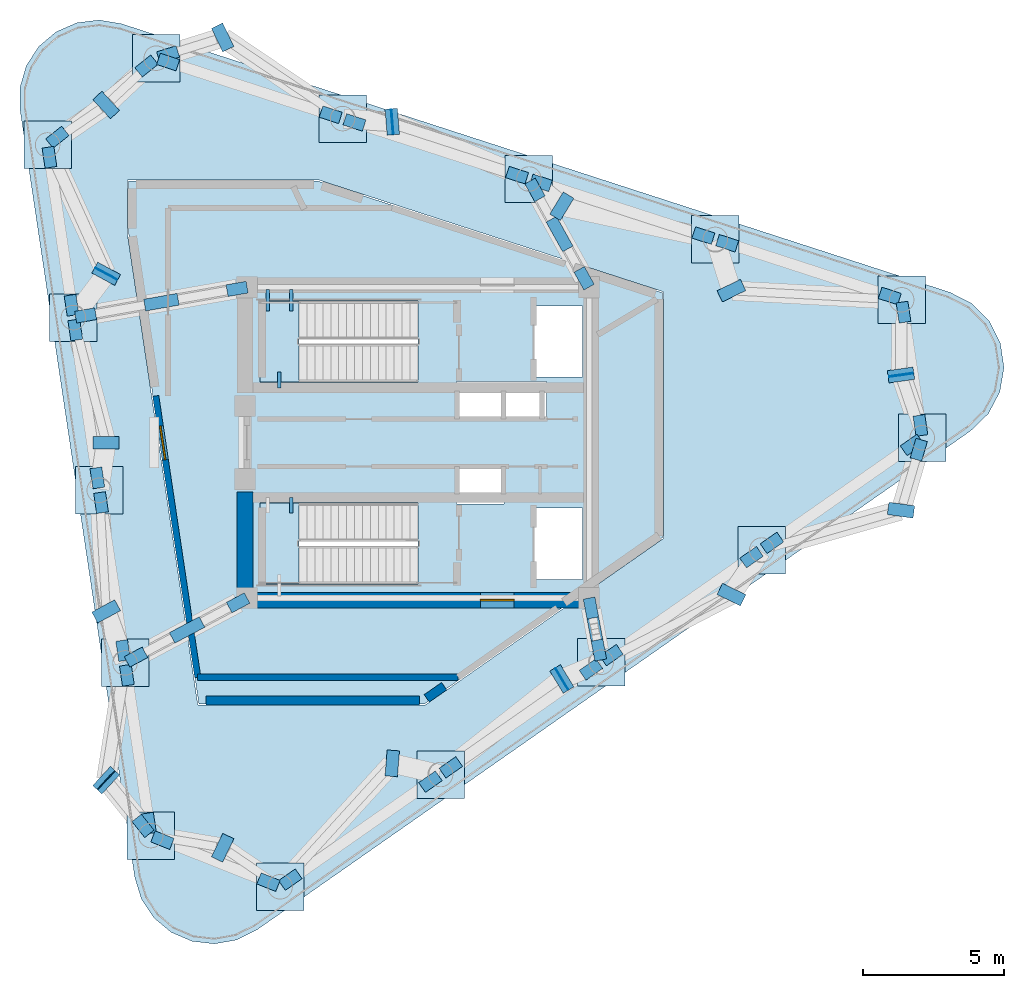
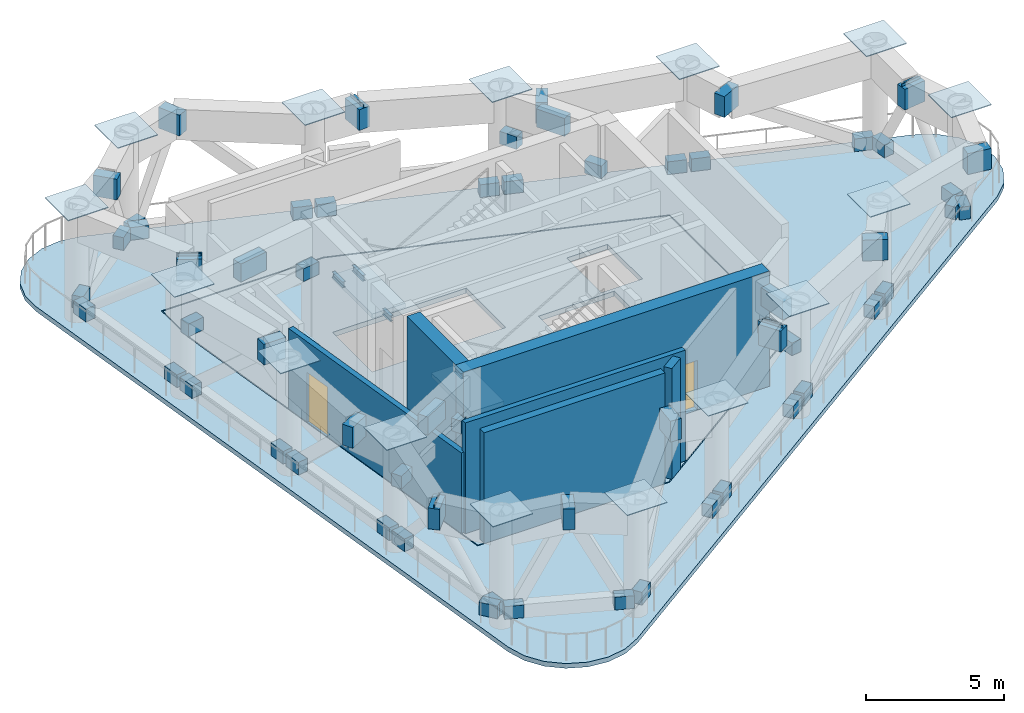
# One storey, part 3 of 9: 80 plates, 6 walls, 4 beams, 4 slabs, 2 doors, 2 openings, 2 elements without a shape of their own.
"""IFC4 building model written with IfcOpenShell, lengths in metres."""

import ifcopenshell
import ifcopenshell.guid

model = None  # the IFC model being written
_history = None  # IfcOwnerHistory: only IFC2X3 demands one
_inside = {}  # id of a spatial element -> (the spatial element, [elements in it])
_under = {}  # id of a project, library or spatial element -> (it, [spatial elements below it])
_declared = {}  # id of a project -> (the project, [libraries it declares])
_typed = {}  # id of a type object -> (the type object, [elements of that type])
_made_of = {}  # id of a material, layer set ... -> (it, [elements and type objects made of it])


def new_model(schema):
    """Start an empty IFC model of exactly this schema.

    Asked for "IFC4X3", IfcOpenShell would pick the latest addendum, in which some entities
    have other attributes; the version numbers below select the first issue.
    IFC2X3 requires an IfcOwnerHistory on every rooted entity: one is made here for all.
    """
    global model, _history
    if schema == "IFC4X3":
        model = ifcopenshell.file(schema_version=(4, 3, 0, 0))
    else:
        model = ifcopenshell.file(schema=schema)
    _inside.clear()
    _under.clear()
    _declared.clear()
    _typed.clear()
    _made_of.clear()
    _history = None
    if model.schema == "IFC2X3":
        org = make("IfcOrganization", Name="unknown")
        user = make(
            "IfcPersonAndOrganization",
            ThePerson=make("IfcPerson", FamilyName="unknown"),
            TheOrganization=org,
        )
        app = make(
            "IfcApplication",
            ApplicationDeveloper=org,
            Version="unknown",
            ApplicationFullName="unknown",
            ApplicationIdentifier="unknown",
        )
        _history = make(
            "IfcOwnerHistory",
            OwningUser=user,
            OwningApplication=app,
            ChangeAction="ADDED",
            CreationDate=0,
        )
    return model


def make(cls, **values):
    """One entity of the class cls with the attributes given. An attribute that is None is left unset."""
    return model.create_entity(
        cls, **{name: value for name, value in values.items() if value is not None}
    )


def rooted(cls, **values):
    """An entity with a GlobalId (a new one), such as an element, a storey or a relation."""
    return make(cls, GlobalId=ifcopenshell.guid.new(), OwnerHistory=_history, **values)


def si_unit(unit_type, name, prefix=None):
    """IfcSIUnit, for example si_unit("LENGTHUNIT", "METRE", prefix="MILLI")."""
    return make("IfcSIUnit", UnitType=unit_type, Prefix=prefix, Name=name)


def assignment(units):
    """IfcUnitAssignment: the units of a project."""
    return None if units is None else make("IfcUnitAssignment", Units=units)


def point(xyz):
    """IfcCartesianPoint."""
    return None if xyz is None else make("IfcCartesianPoint", Coordinates=xyz)


def direction(xyz):
    """IfcDirection."""
    return None if xyz is None else make("IfcDirection", DirectionRatios=xyz)


def frame(location, z_axis=None, x_axis=None):
    """IfcAxis2Placement3D, a coordinate frame: its origin and axes. An axis left out is left unset."""
    return make(
        "IfcAxis2Placement3D",
        Location=point(location),
        Axis=direction(z_axis),
        RefDirection=direction(x_axis),
    )


def frame_2d(location, x_axis=None):
    """IfcAxis2Placement2D, a coordinate frame in the plane: its origin and x axis."""
    return make(
        "IfcAxis2Placement2D", Location=point(location), RefDirection=direction(x_axis)
    )


def origin():
    """The frame at (0, 0, 0) with its axes left unset."""
    return frame((0.0, 0.0, 0.0))


def origin_2d():
    """The frame at (0, 0) in the plane with its x axis left unset."""
    return frame_2d((0.0, 0.0))


def place(relative_to, where):
    """IfcLocalPlacement: puts the frame where relative to a parent placement (None: the world)."""
    return make(
        "IfcLocalPlacement", PlacementRelTo=relative_to, RelativePlacement=where
    )


def context(
    kind, dimensions, precision=None, world=None, true_north=None, identifier=None
):
    """IfcGeometricRepresentationContext, for example the 3D "Model" context."""
    return make(
        "IfcGeometricRepresentationContext",
        ContextIdentifier=identifier,
        ContextType=kind,
        CoordinateSpaceDimension=dimensions,
        Precision=precision,
        WorldCoordinateSystem=world,
        TrueNorth=true_north,
    )


def subcontext(parent, identifier, kind, view, scale=None):
    """IfcGeometricRepresentationSubContext, for example "Body" below "Model"."""
    return make(
        "IfcGeometricRepresentationSubContext",
        ContextIdentifier=identifier,
        ContextType=kind,
        ParentContext=parent,
        TargetScale=scale,
        TargetView=view,
    )


def project(units=None, contexts=None):
    """IfcProject with its units and contexts."""
    return rooted(
        "IfcProject",
        Name="project",
        RepresentationContexts=contexts,
        UnitsInContext=assignment(units),
    )


def spatial(cls, under=None, at=None, **own):
    """A site, building, storey or space (cls), placed at a placement, below another one or the project."""
    s = rooted(cls, ObjectPlacement=at, **own)
    if under is not None:
        _under.setdefault(under.id(), (under, []))[1].append(s)
    return s


def polyline(points):
    """IfcPolyline through the points."""
    return make("IfcPolyline", Points=[point(p) for p in points])


def profile(cls, at=None, kind="AREA", **sizes):
    """A parametric profile (cls). Its sizes go by their IFC names, for example OverallWidth=200.0."""
    return make(cls, ProfileType=kind, Position=at, **sizes)


def rectangle(**sizes):
    """IfcRectangleProfileDef."""
    return profile("IfcRectangleProfileDef", **sizes)


def i_section(**sizes):
    """IfcIShapeProfileDef."""
    return profile("IfcIShapeProfileDef", **sizes)


def outline(outer, holes=None, kind="AREA"):
    """IfcArbitraryClosedProfileDef: a profile drawn as a closed curve; with holes, ...WithVoids."""
    if holes is None:
        return make("IfcArbitraryClosedProfileDef", ProfileType=kind, OuterCurve=outer)
    return make(
        "IfcArbitraryProfileDefWithVoids",
        ProfileType=kind,
        OuterCurve=outer,
        InnerCurves=holes,
    )


def extrude(swept, where, along, depth):
    """IfcExtrudedAreaSolid: the profile swept, set in the frame where, extruded along a direction by depth."""
    return make(
        "IfcExtrudedAreaSolid",
        SweptArea=swept,
        Position=where,
        ExtrudedDirection=direction(along),
        Depth=depth,
    )


def shape(context_of_items, identifier, shape_type, items):
    """IfcShapeRepresentation: the items that make up one representation, for example the "Body"."""
    return make(
        "IfcShapeRepresentation",
        ContextOfItems=context_of_items,
        RepresentationIdentifier=identifier,
        RepresentationType=shape_type,
        Items=items,
    )


def source(mapping_origin, context_of_items, identifier, shape_type, items):
    """IfcRepresentationMap: a shape defined once, which mapped items show again and again."""
    return make(
        "IfcRepresentationMap",
        MappingOrigin=mapping_origin,
        MappedRepresentation=shape(context_of_items, identifier, shape_type, items),
    )


def transform(
    local_origin,
    x_axis=None,
    y_axis=None,
    z_axis=None,
    scale=None,
    scale2=None,
    scale3=None,
    uniform=True,
):
    """IfcCartesianTransformationOperator3D, or its non-uniform kind. x_axis, y_axis, z_axis: its Axis1, 2, 3."""
    if uniform:
        return make(
            "IfcCartesianTransformationOperator3D",
            Axis1=direction(x_axis),
            Axis2=direction(y_axis),
            LocalOrigin=point(local_origin),
            Scale=scale,
            Axis3=direction(z_axis),
        )
    return make(
        "IfcCartesianTransformationOperator3DnonUniform",
        Axis1=direction(x_axis),
        Axis2=direction(y_axis),
        LocalOrigin=point(local_origin),
        Scale=scale,
        Axis3=direction(z_axis),
        Scale2=scale2,
        Scale3=scale3,
    )


def mapped(mapping_source, mapping_target):
    """IfcMappedItem: shows the shape of a source again, moved by a transform."""
    return make(
        "IfcMappedItem", MappingSource=mapping_source, MappingTarget=mapping_target
    )


def material(Name=None, Category=None):
    """IfcMaterial."""
    return make("IfcMaterial", Name=Name, Category=Category)


def layer(
    of_material, thickness, ventilated=None, Name=None, Category=None, Priority=None
):
    """IfcMaterialLayer: one layer of a wall or slab, of a material (None: an air gap)."""
    return make(
        "IfcMaterialLayer",
        Material=of_material,
        LayerThickness=thickness,
        IsVentilated=ventilated,
        Name=Name,
        Category=Category,
        Priority=Priority,
    )


def layer_set(layers, Name=None):
    """IfcMaterialLayerSet."""
    return make("IfcMaterialLayerSet", MaterialLayers=layers, LayerSetName=Name)


def material_profile(
    of_material, cross_section, Name=None, Category=None, Priority=None
):
    """IfcMaterialProfile: a cross section and its material."""
    return make(
        "IfcMaterialProfile",
        Name=Name,
        Material=of_material,
        Profile=cross_section,
        Priority=Priority,
        Category=Category,
    )


def profile_set(profiles, Name=None, composite=None):
    """IfcMaterialProfileSet."""
    return make(
        "IfcMaterialProfileSet",
        Name=Name,
        MaterialProfiles=profiles,
        CompositeProfile=composite,
    )


def made_of(thing, what):
    """Note that an element or type object is made of a material, layer set ...; save() writes the relation."""
    if what is not None:
        _made_of.setdefault(what.id(), (what, []))[1].append(thing)
    return thing


def type_object(cls, material=None, **own):
    """A type object (cls), such as IfcWallType, which elements share."""
    return made_of(rooted(cls, **own), material)


def element(
    cls,
    number,
    at=None,
    inside=None,
    cuts=None,
    type_object=None,
    material=None,
    context=None,
    identifier="Body",
    shape_type=None,
    held_by="IfcProductDefinitionShape",
    body=None,
    shapes=None,
    **own,
):
    """One element of the class cls, such as IfcWall. Its Tag is "e" and its number.

    at: its placement. inside: the storey or other place that contains it. cuts: it is an
    opening in that element (IfcRelVoidsElement). A single representation is given by context,
    identifier, shape_type and body (its items); several are given by shapes. held_by: the class
    of the entity that holds the representations. save() writes the other relations.
    """
    e = rooted(cls, Tag="e%d" % number, ObjectPlacement=at, **own)
    if body is not None:
        shapes = [shape(context, identifier, shape_type, body)]
    if shapes is not None:
        e.Representation = make(held_by, Representations=shapes)
    if inside is not None:
        _inside.setdefault(inside.id(), (inside, []))[1].append(e)
    if cuts is not None:
        rooted(
            "IfcRelVoidsElement", RelatingBuildingElement=cuts, RelatedOpeningElement=e
        )
    if type_object is not None:
        _typed.setdefault(type_object.id(), (type_object, []))[1].append(e)
    return made_of(e, material)


def fill(opening, filler):
    """IfcRelFillsElement: the door or window that sits in an opening."""
    return rooted(
        "IfcRelFillsElement",
        RelatingOpeningElement=opening,
        RelatedBuildingElement=filler,
    )


def aggregate(whole, parts):
    """IfcRelAggregates: a whole, such as a stair, and the parts it consists of."""
    return rooted("IfcRelAggregates", RelatingObject=whole, RelatedObjects=parts)


def save(model, path):
    """Write the relations noted so far, then the file.

    IfcRelAggregates (storeys below a building ...), IfcRelContainedInSpatialStructure (elements
    in a storey), IfcRelDefinesByType, IfcRelAssociatesMaterial and IfcRelDeclares: one each for
    every whole, place, type object, material and project.
    """
    for whole, parts in _under.values():
        aggregate(whole, parts)
    for where, things in _inside.values():
        rooted(
            "IfcRelContainedInSpatialStructure",
            RelatedElements=things,
            RelatingStructure=where,
        )
    for kind, things in _typed.values():
        rooted("IfcRelDefinesByType", RelatedObjects=things, RelatingType=kind)
    for what, things in _made_of.values():
        rooted("IfcRelAssociatesMaterial", RelatedObjects=things, RelatingMaterial=what)
    for by, libraries in _declared.values():
        rooted("IfcRelDeclares", RelatingContext=by, RelatedDefinitions=libraries)
    model.write(path)


model = new_model("IFC4")

# Units and contexts
model_context = context("Model", 3, precision=1e-05, world=origin(), true_north=direction((0.0, 1.0)))
body_context = subcontext(model_context, "Body", "Model", "MODEL_VIEW")
ifc_project = project(units=[si_unit("LENGTHUNIT", "METRE"), si_unit("AREAUNIT", "SQUARE_METRE"), si_unit("VOLUMEUNIT", "CUBIC_METRE"), si_unit("PLANEANGLEUNIT", "RADIAN"), si_unit("MASSUNIT", "GRAM", prefix="KILO")], contexts=[model_context])

# Site, building, storey
site_placement = place(None, origin())
site = spatial("IfcSite", under=ifc_project, at=site_placement, CompositionType="ELEMENT")
building_placement = place(site_placement, origin())
building = spatial("IfcBuilding", under=site, at=building_placement, Name="Yunling Apex Tower", CompositionType="ELEMENT")
storey_placement = place(building_placement, frame((0.0, 0.0, 284.75)))
storey = spatial("IfcBuildingStorey", under=building, at=storey_placement, Name="RF8", CompositionType="ELEMENT", Elevation=284.75)

# Beams
ifc_material_1 = material(Name="Steel Q355B", Category="steel")
ifc_material_profile = material_profile(ifc_material_1, i_section(OverallWidth=0.125, OverallDepth=0.25, WebThickness=0.006103515625, FlangeThickness=0.009033203125, FilletRadius=0.011962890625, at=origin_2d()))
ifc_profile_set = profile_set([ifc_material_profile], Name="Steel Q355B")
beam_type = type_object("IfcBeamType", Name="BL-LNT-1", PredefinedType="LINTEL", material=ifc_profile_set)
shared_shape_1 = source(origin(), body_context, "Body", "SweptSolid", [
    extrude(i_section(OverallWidth=0.125, OverallDepth=0.25, WebThickness=0.006103515625, FlangeThickness=0.009033203125, FilletRadius=0.011962890625, at=origin_2d()), origin(), (0.0, 0.0, 1.0), 0.760009765625),
])
for number, where, z_axis, x_axis, name in (
    (1, (-5.320068359375, 5.419921875, 2.22998046875), (0.0, -1.0, 0.0), (1.0, 0.0, 0.0), "RF8 ST-1 Landing Bearing Corbel 1-1"),
    (2, (-4.489990234375, 5.419921875, 2.22998046875), (0.0, -1.0, 0.0), (1.0, 0.0, 0.0), "RF8 ST-1 Landing Bearing Corbel 1-2"),
):
    element("IfcBeam", number, at=place(storey_placement, frame(where, z_axis=z_axis, x_axis=x_axis)), inside=storey, type_object=beam_type, Name=name, PredefinedType="LINTEL", context=body_context, shape_type="MappedRepresentation", body=[
        mapped(shared_shape_1, transform((0.0, 0.0, 0.0), scale=1.0)),
    ])
shared_shape_2 = source(origin(), body_context, "Body", "SweptSolid", [
    extrude(i_section(OverallWidth=0.125, OverallDepth=0.25, WebThickness=0.006103515625, FlangeThickness=0.009033203125, FilletRadius=0.011962890625, at=origin_2d()), origin(), (0.0, 0.0, 1.0), 0.550048828125),
])
for number, where, z_axis, x_axis, name in (
    (3, (-4.905029296875, 1.93994140625, 2.22998046875), (0.0, 1.0, 0.0), (-1.0, 0.0, 0.0), "RF8 ST-1 Landing Bearing Corbel 1-3"),
    (4, (-4.489990234375, -1.93994140625, 2.22998046875), (0.0, -1.0, 0.0), (1.0, 0.0, 0.0), "RF8 ST-2 Landing Bearing Corbel 1-2"),
):
    element("IfcBeam", number, at=place(storey_placement, frame(where, z_axis=z_axis, x_axis=x_axis)), inside=storey, type_object=beam_type, Name=name, PredefinedType="LINTEL", context=body_context, shape_type="MappedRepresentation", body=[
        mapped(shared_shape_2, transform((0.0, 0.0, 0.0), scale=1.0)),
    ])

# Stair, slab
ifc_material_2 = material(Name="Concrete C40", Category="concrete")
stair_type = type_object("IfcStairType", Name="ST-TWR-1", PredefinedType="HALF_TURN_STAIR", material=ifc_material_2)
stair_1_placement = place(storey_placement, origin())
stair_1 = element("IfcStair", 5, at=stair_1_placement, inside=storey, type_object=stair_type, Name="RF8 North Core Smokeproof Exit Stair ST-1", PredefinedType="HALF_TURN_STAIR")
ifc_layer_1 = layer(ifc_material_2, 0.195068359375)
ifc_layer_set_1 = layer_set([ifc_layer_1], Name="Concrete C40")
slab_type_1 = type_object("IfcSlabType", Name="SL-LND-1", PredefinedType="LANDING", material=ifc_layer_set_1)
slab_1_placement = place(storey_placement, frame((0.0, 0.0, 2.35498046875)))
slab_1 = element("IfcSlab", 6, at=slab_1_placement, type_object=slab_type_1, Name="ST-1 landing 1", PredefinedType="LANDING", context=body_context, shape_type="SweptSolid", body=[
    extrude(outline(polyline([(-4.2099609375, 5.010009765625), (-5.60009765625, 5.010009765625), (-5.60009765625, 2.139892578125), (-4.2099609375, 2.139892578125), (-4.2099609375, 5.010009765625)])), origin(), (0.0, 0.0, 1.0), 0.195068359375),
])
aggregate(stair_1, [slab_1])

stair_2_placement = place(storey_placement, origin())
stair_2 = element("IfcStair", 7, at=stair_2_placement, inside=storey, type_object=stair_type, Name="RF8 South Core Smokeproof Exit Stair ST-2", PredefinedType="HALF_TURN_STAIR")
slab_2_placement = place(storey_placement, frame((0.0, 0.0, 2.35498046875)))
slab_2 = element("IfcSlab", 8, at=slab_2_placement, type_object=slab_type_1, Name="ST-2 landing 1", PredefinedType="LANDING", context=body_context, shape_type="SweptSolid", body=[
    extrude(outline(polyline([(-4.2099609375, -2.139892578125), (-5.60009765625, -2.139892578125), (-5.60009765625, -5.010009765625), (-4.2099609375, -5.010009765625), (-4.2099609375, -2.139892578125)])), origin(), (0.0, 0.0, 1.0), 0.195068359375),
])
aggregate(stair_2, [slab_2])

# Slabs
ifc_layer_2 = layer(ifc_material_2, 0.219970703125)
ifc_layer_set_2 = layer_set([ifc_layer_2], Name="Concrete C40")
slab_type_2 = type_object("IfcSlabType", Name="SL-RFG-1", PredefinedType="FLOOR", material=ifc_layer_set_2)
slab_3_placement = place(storey_placement, frame((0.0, 0.0, -0.219970703125)))
element("IfcSlab", 9, at=slab_3_placement, inside=storey, type_object=slab_type_2, Name="RF8 Mechanical & Belt-Truss Interior Slab", PredefinedType="FLOOR", context=body_context, shape_type="SweptSolid", body=[
    extrude(outline(polyline([(8.64990234375, 5.303466796875), (-3.525146484375, 9.25), (-10.25, 9.25), (-10.25, 7.431396484375), (-7.757080078125, -9.25), (0.2294921875, -9.25), (8.64990234375, -3.362548828125), (8.64990234375, 5.303466796875)]), holes=[polyline([(4.090087890625, 4.840087890625), (5.81005859375, 4.840087890625), (5.81005859375, 2.320068359375), (4.090087890625, 2.320068359375), (4.090087890625, 4.840087890625)]), polyline([(4.090087890625, -4.840087890625), (4.090087890625, -2.320068359375), (5.81005859375, -2.320068359375), (5.81005859375, -4.840087890625), (4.090087890625, -4.840087890625)]), polyline([(4.534912109375, 0.794921875), (1.364990234375, 0.794921875), (1.364990234375, 2.1650390625), (4.534912109375, 2.1650390625), (4.534912109375, 0.794921875)]), polyline([(1.364990234375, -0.794921875), (3.034912109375, -0.794921875), (3.034912109375, -2.1650390625), (1.364990234375, -2.1650390625), (1.364990234375, -0.794921875)]), polyline([(-0.010009765625, -5.010009765625), (-5.60009765625, -5.010009765625), (-5.60009765625, -2.139892578125), (-0.010009765625, -2.139892578125), (-0.010009765625, -5.010009765625)]), polyline([(-0.010009765625, 2.139892578125), (-5.60009765625, 2.139892578125), (-5.60009765625, 5.010009765625), (-0.010009765625, 5.010009765625), (-0.010009765625, 2.139892578125)])]), origin(), (0.0, 0.0, 1.0), 0.219970703125),
])
ifc_layer_3 = layer(ifc_material_2, 0.2099609375)
ifc_layer_set_3 = layer_set([ifc_layer_3], Name="Concrete C40")
slab_type_3 = type_object("IfcSlabType", Name="SL-RFG-EXT", PredefinedType="FLOOR", material=ifc_layer_set_3)
slab_4_placement = place(storey_placement, frame((0.0, 0.0, -0.2099609375)))
element("IfcSlab", 10, at=slab_4_placement, inside=storey, type_object=slab_type_3, Name="RF8 Open Refuge Perimeter Terrace Band", PredefinedType="FLOOR", context=body_context, shape_type="SweptSolid", body=[
    extrude(outline(polyline([(-10.026123046875, -15.378173828125), (-9.794189453125, -16.145263671875), (-9.352294921875, -16.81396484375), (-8.737548828125, -17.328125), (-8.001220703125, -17.64501953125), (-7.205078125, -17.7373046875), (-6.415771484375, -17.59814453125), (-5.69921875, -17.23876953125), (19.549072265625, 0.414306640625), (20.177490234375, 1.021728515625), (20.585205078125, 1.794921875), (20.731689453125, 2.656494140625), (20.6025390625, 3.52099609375), (20.21044921875, 4.302001953125), (19.594482421875, 4.922119140625), (18.81591796875, 5.3193359375), (-10.490478515625, 14.819091796875), (-11.280517578125, 14.95361328125), (-12.076171875, 14.855712890625), (-12.810302734375, 14.534423828125), (-13.422119140625, 14.016357421875), (-13.859619140625, 13.344970703125), (-14.086669921875, 12.576416015625), (-14.083984375, 11.77490234375), (-10.026123046875, -15.378173828125)]), holes=[polyline([(0.241943359375, -9.2900390625), (-7.79150390625, -9.2900390625), (-10.2900390625, 7.428466796875), (-10.2900390625, 9.2900390625), (-3.518798828125, 9.2900390625), (8.68994140625, 5.33251953125), (8.68994140625, -3.38330078125), (0.241943359375, -9.2900390625)])]), origin(), (0.0, 0.0, 1.0), 0.2099609375),
])

# Plates
ifc_layer_4 = layer(ifc_material_1, 0.030029296875)
ifc_layer_set_4 = layer_set([ifc_layer_4], Name="Steel Q355B")
plate_type_1 = type_object("IfcPlateType", Name="NP-CAP-1", PredefinedType="USERDEFINED", material=ifc_layer_set_4)
shared_shape_3 = source(origin(), body_context, "Body", "SweptSolid", [
    extrude(rectangle(XDim=1.679931640625, YDim=1.679931640625, at=origin_2d()), origin(), (0.0, 0.0, 1.0), 0.035888671875),
])
for number, where, z_axis, x_axis, name in (
    (11, (-4.8837890625, -15.716796875, 4.9970703125), (0.0, 0.0, 1.0), (1.0, 0.0, 0.0), "RF8 Lower-Block CFST Column Top Cap Plate P01"),
    (12, (0.797119140625, -11.744873046875, 4.9970703125), (0.0, 0.0, 1.0), (1.0, 0.0, 0.0), "RF8 Lower-Block CFST Column Top Cap Plate P02"),
    (13, (6.47802734375, -7.77294921875, 4.9970703125), (0.0, 0.0, 1.0), (1.0, 0.0, 0.0), "RF8 Lower-Block CFST Column Top Cap Plate P03"),
    (14, (12.15869140625, -3.801025390625, 4.9970703125), (0.0, 0.0, 1.0), (1.0, 0.0, 0.0), "RF8 Lower-Block CFST Column Top Cap Plate P04"),
    (15, (17.839599609375, 0.1708984375, 4.9970703125), (0.0, 0.0, 1.0), (1.0, 0.0, 0.0), "RF8 Lower-Block CFST Column Top Cap Plate P05"),
    (16, (17.110107421875, 5.052490234375, 4.9970703125), (0.0, 0.0, 1.0), (1.0, 0.0, 0.0), "RF8 Lower-Block CFST Column Top Cap Plate P06"),
    (17, (10.51611328125, 7.18994140625, 4.9970703125), (0.0, 0.0, 1.0), (1.0, 0.0, 0.0), "RF8 Lower-Block CFST Column Top Cap Plate P07"),
    (18, (3.92236328125, 9.327392578125, 4.9970703125), (0.0, 0.0, 1.0), (1.0, 0.0, 0.0), "RF8 Lower-Block CFST Column Top Cap Plate P08"),
    (19, (-2.671630859375, 11.46484375, 4.9970703125), (0.0, 0.0, 1.0), (1.0, 0.0, 0.0), "RF8 Lower-Block CFST Column Top Cap Plate P09"),
    (20, (-9.265625, 13.602294921875, 4.9970703125), (0.0, 0.0, 1.0), (1.0, 0.0, 0.0), "RF8 Lower-Block CFST Column Top Cap Plate P10"),
    (21, (-13.10986328125, 10.532470703125, 4.9970703125), (0.0, 0.0, 1.0), (1.0, 0.0, 0.0), "RF8 Lower-Block CFST Column Top Cap Plate P11"),
    (22, (-12.19677734375, 4.423095703125, 4.9970703125), (0.0, 0.0, 1.0), (1.0, 0.0, 0.0), "RF8 Lower-Block CFST Column Top Cap Plate P12"),
    (23, (-11.28369140625, -1.686279296875, 4.9970703125), (0.0, 0.0, 1.0), (1.0, 0.0, 0.0), "RF8 Lower-Block CFST Column Top Cap Plate P13"),
    (24, (-10.37060546875, -7.7958984375, 4.9970703125), (0.0, 0.0, 1.0), (1.0, 0.0, 0.0), "RF8 Lower-Block CFST Column Top Cap Plate P14"),
    (25, (-9.45751953125, -13.9052734375, 4.9970703125), (0.0, 0.0, 1.0), (1.0, 0.0, 0.0), "RF8 Lower-Block CFST Column Top Cap Plate P15"),
):
    element("IfcPlate", number, at=place(storey_placement, frame(where, z_axis=z_axis, x_axis=x_axis)), inside=storey, type_object=plate_type_1, Name=name, ObjectType="CAP_PLATE", PredefinedType="USERDEFINED", context=body_context, shape_type="MappedRepresentation", body=[
        mapped(shared_shape_3, transform((0.0, 0.0, 0.0), scale=1.0)),
    ])
ifc_layer_5 = layer(ifc_material_1, 0.035888671875)
ifc_layer_set_5 = layer_set([ifc_layer_5], Name="Steel Q355B")
plate_type_2 = type_object("IfcPlateType", Name="NP-GUS-1", PredefinedType="USERDEFINED", material=ifc_layer_set_5)
shared_shape_4 = source(origin(), body_context, "Body", "SweptSolid", [
    extrude(rectangle(XDim=0.719970703125, YDim=0.419921875, at=origin_2d()), origin(), (0.0, 0.0, 1.0), 0.56005859375),
])
for number, where, z_axis, x_axis, name in (
    (26, (-4.521484375, -15.463623046875, 0.27001953125), (0.0, 0.0, 1.0), (0.819552276527, 0.573004420611, 0.0), "RF8 Belt Chord End Gusset Plate 303"),
    (27, (0.434814453125, -11.998291015625, 0.27001953125), (0.0, 0.0, 1.0), (0.819552276527, 0.573004420611, 0.0), "RF8 Belt Chord End Gusset Plate 304"),
    (28, (1.1591796875, -11.49169921875, 0.27001953125), (0.0, 0.0, 1.0), (0.819552276527, 0.573004420611, 0.0), "RF8 Belt Chord End Gusset Plate 305"),
    (29, (6.11572265625, -8.0263671875, 0.27001953125), (0.0, 0.0, 1.0), (0.819552276527, 0.573004420611, 0.0), "RF8 Belt Chord End Gusset Plate 306"),
    (30, (6.840087890625, -7.519775390625, 0.27001953125), (0.0, 0.0, 1.0), (0.819552276527, 0.573004420611, 0.0), "RF8 Belt Chord End Gusset Plate 307"),
    (31, (11.796630859375, -4.054443359375, 0.27001953125), (0.0, 0.0, 1.0), (0.819552276527, 0.573004420611, 0.0), "RF8 Belt Chord End Gusset Plate 308"),
    (32, (12.52099609375, -3.5478515625, 0.27001953125), (0.0, 0.0, 1.0), (0.819552276527, 0.573004420611, 0.0), "RF8 Belt Chord End Gusset Plate 309"),
    (33, (17.4775390625, -0.08251953125, 0.27001953125), (0.0, 0.0, 1.0), (0.819552276527, 0.573004420611, 0.0), "RF8 Belt Chord End Gusset Plate 310"),
    (34, (17.7744140625, 0.60791015625, 0.27001953125), (0.0, 0.0, 1.0), (-0.14780941113, 0.989015863362, 0.0), "RF8 Belt Chord End Gusset Plate 311"),
    (35, (17.175537109375, 4.615234375, 0.27001953125), (0.0, 0.0, 1.0), (-0.14780941113, 0.989015863362, 0.0), "RF8 Belt Chord End Gusset Plate 312"),
    (36, (16.689697265625, 5.188720703125, 0.27001953125), (0.0, 0.0, 1.0), (-0.951272019071, 0.30835295642, 0.0), "RF8 Belt Chord End Gusset Plate 313"),
    (37, (10.936767578125, 7.0537109375, 0.27001953125), (0.0, 0.0, 1.0), (-0.951272019071, 0.30835295642, 0.0), "RF8 Belt Chord End Gusset Plate 314"),
    (38, (10.095703125, 7.326171875, 0.27001953125), (0.0, 0.0, 1.0), (-0.951272019071, 0.30835295642, 0.0), "RF8 Belt Chord End Gusset Plate 315"),
    (39, (4.3427734375, 9.19091796875, 0.27001953125), (0.0, 0.0, 1.0), (-0.951272019071, 0.30835295642, 0.0), "RF8 Belt Chord End Gusset Plate 316"),
    (40, (3.501708984375, 9.463623046875, 0.27001953125), (0.0, 0.0, 1.0), (-0.951272019071, 0.30835295642, 0.0), "RF8 Belt Chord End Gusset Plate 317"),
    (41, (-2.251220703125, 11.32861328125, 0.27001953125), (0.0, 0.0, 1.0), (-0.951272019071, 0.30835295642, 0.0), "RF8 Belt Chord End Gusset Plate 318"),
    (42, (-3.09228515625, 11.60107421875, 0.27001953125), (0.0, 0.0, 1.0), (-0.951272019071, 0.30835295642, 0.0), "RF8 Belt Chord End Gusset Plate 319"),
    (43, (-8.84521484375, 13.4658203125, 0.27001953125), (0.0, 0.0, 1.0), (-0.951272019071, 0.30835295642, 0.0), "RF8 Belt Chord End Gusset Plate 320"),
    (44, (-9.611083984375, 13.326416015625, 0.27001953125), (0.0, 0.0, 1.0), (-0.781411572985, -0.624015988261, 0.0), "RF8 Belt Chord End Gusset Plate 321"),
    (45, (-12.764404296875, 10.80810546875, 0.27001953125), (0.0, 0.0, 1.0), (-0.781411572985, -0.624015988261, 0.0), "RF8 Belt Chord End Gusset Plate 322"),
    (46, (-13.04443359375, 10.09521484375, 0.27001953125), (0.0, 0.0, 1.0), (0.14780941113, -0.989015863362, 0.0), "RF8 Belt Chord End Gusset Plate 323"),
    (47, (-12.261962890625, 4.860107421875, 0.27001953125), (0.0, 0.0, 1.0), (0.14780941113, -0.989015863362, 0.0), "RF8 Belt Chord End Gusset Plate 324"),
    (48, (-12.13134765625, 3.98583984375, 0.27001953125), (0.0, 0.0, 1.0), (0.14780941113, -0.989015863362, 0.0), "RF8 Belt Chord End Gusset Plate 325"),
    (49, (-11.34912109375, -1.249267578125, 0.27001953125), (0.0, 0.0, 1.0), (0.14780941113, -0.989015863362, 0.0), "RF8 Belt Chord End Gusset Plate 326"),
    (50, (-11.218505859375, -2.12353515625, 0.27001953125), (0.0, 0.0, 1.0), (0.14780941113, -0.989015863362, 0.0), "RF8 Belt Chord End Gusset Plate 327"),
    (51, (-10.435791015625, -7.358642578125, 0.27001953125), (0.0, 0.0, 1.0), (0.14780941113, -0.989015863362, 0.0), "RF8 Belt Chord End Gusset Plate 328"),
    (52, (-10.305419921875, -8.23291015625, 0.27001953125), (0.0, 0.0, 1.0), (0.14780941113, -0.989015863362, 0.0), "RF8 Belt Chord End Gusset Plate 329"),
    (53, (-9.52294921875, -13.468017578125, 0.27001953125), (0.0, 0.0, 1.0), (0.14780941113, -0.989015863362, 0.0), "RF8 Belt Chord End Gusset Plate 330"),
    (54, (-9.046630859375, -14.068115234375, 0.27001953125), (0.0, 0.0, 1.0), (0.929712221872, -0.368286823687, 0.0), "RF8 Belt Chord End Gusset Plate 331"),
    (55, (-5.294677734375, -15.55419921875, 0.27001953125), (0.0, 0.0, 1.0), (0.929712221872, -0.368286823687, 0.0), "RF8 Belt Chord End Gusset Plate 332"),
    (56, (17.715576171875, -0.251220703125, 0.27001953125), (0.0, 0.0, 1.0), (-0.2820065759, -0.959412471854, 0.0), "RF8 Belt Diagonal Foot Gusset Plate 333"),
    (57, (-8.845703125, 13.7333984375, 0.27001953125), (0.0, 0.0, 1.0), (0.954500927457, 0.298207946716, 0.0), "RF8 Belt Diagonal Foot Gusset Plate 334"),
    (58, (-9.733642578125, -13.5625, 0.27001953125), (0.0, 0.0, 1.0), (-0.627555484428, 0.778571842519, 0.0), "RF8 Belt Diagonal Foot Gusset Plate 335"),
):
    element("IfcPlate", number, at=place(storey_placement, frame(where, z_axis=z_axis, x_axis=x_axis)), inside=storey, type_object=plate_type_2, Name=name, ObjectType="GUSSET_PLATE", PredefinedType="USERDEFINED", context=body_context, shape_type="MappedRepresentation", body=[
        mapped(shared_shape_4, transform((0.0, 0.0, 0.0), scale=1.0)),
    ])
shared_shape_5 = source(origin(), body_context, "Body", "SweptSolid", [
    extrude(rectangle(XDim=0.919921875, YDim=0.43994140625, at=origin_2d()), origin(), (0.0, 0.0, 1.0), 0.919921875),
])
for number, where, z_axis, x_axis, name in (
    (59, (-6.9140625, -14.336669921875, 3.78515625), (0.0, 0.0, 1.0), (-0.434445257404, -0.900698239323, 0.0), "RF8 Belt-Truss Node Gusset Plate 1"),
    (60, (-0.913818359375, -11.350341796875, 3.78515625), (0.0, 0.0, 1.0), (-0.080198924329, -0.996778878456, 0.0), "RF8 Belt-Truss Node Gusset Plate 2"),
    (61, (5.086181640625, -8.364013671875, 3.78515625), (0.0, 0.0, 1.0), (0.51951911188, -0.854458830133, 0.0), "RF8 Belt-Truss Node Gusset Plate 3"),
    (62, (11.08642578125, -5.377685546875, 3.78515625), (0.0, 0.0, 1.0), (0.899710196736, -0.436487756861, 0.0), "RF8 Belt-Truss Node Gusset Plate 4"),
    (63, (17.086669921875, -2.3916015625, 3.78515625), (0.0, 0.0, 1.0), (0.99034080386, -0.138654578758, 0.0), "RF8 Belt-Truss Node Gusset Plate 5"),
    (64, (17.086669921875, 2.3916015625, 3.78515625), (0.0, 0.0, 1.0), (0.99034080386, 0.138654578758, 0.0), "RF8 Belt-Truss Node Gusset Plate 6"),
    (65, (11.08642578125, 5.377685546875, 3.78515625), (0.0, 0.0, 1.0), (0.899710196736, 0.436487756861, 0.0), "RF8 Belt-Truss Node Gusset Plate 7"),
    (66, (5.086181640625, 8.364013671875, 3.78515625), (0.0, 0.0, 1.0), (0.51951911188, 0.854458830133, 0.0), "RF8 Belt-Truss Node Gusset Plate 8"),
    (67, (-0.913818359375, 11.350341796875, 3.78515625), (0.0, 0.0, 1.0), (-0.080198924329, 0.996778878456, 0.0), "RF8 Belt-Truss Node Gusset Plate 9"),
    (68, (-6.9140625, 14.336669921875, 3.78515625), (0.0, 0.0, 1.0), (-0.434445257404, 0.900698239323, 0.0), "RF8 Belt-Truss Node Gusset Plate 10"),
    (69, (-11.037353515625, 11.9453125, 3.78515625), (0.0, 0.0, 1.0), (-0.678672571739, 0.73444097133, 0.0), "RF8 Belt-Truss Node Gusset Plate 11"),
    (70, (-11.037353515625, 5.97265625, 3.78515625), (0.0, 0.0, 1.0), (-0.87948249511, 0.475931235364, 0.0), "RF8 Belt-Truss Node Gusset Plate 12"),
    (71, (-11.037353515625, 0.0, 3.78515625), (0.0, 0.0, 1.0), (-1.0, 0.0, 0.0), "RF8 Belt-Truss Node Gusset Plate 13"),
    (72, (-11.037353515625, -5.97265625, 3.78515625), (0.0, 0.0, 1.0), (-0.87948249511, -0.475931235364, 0.0), "RF8 Belt-Truss Node Gusset Plate 14"),
    (73, (-11.037353515625, -11.9453125, 3.78515625), (0.0, 0.0, 1.0), (-0.678672571739, -0.73444097133, 0.0), "RF8 Belt-Truss Node Gusset Plate 15"),
):
    element("IfcPlate", number, at=place(storey_placement, frame(where, z_axis=z_axis, x_axis=x_axis)), inside=storey, type_object=plate_type_2, Name=name, ObjectType="GUSSET_PLATE", PredefinedType="USERDEFINED", context=body_context, shape_type="MappedRepresentation", body=[
        mapped(shared_shape_5, transform((0.0, 0.0, 0.0), scale=1.0)),
    ])
shared_shape_6 = source(origin(), body_context, "Body", "SweptSolid", [
    extrude(rectangle(XDim=0.85009765625, YDim=0.030029296875, at=origin_2d()), origin(), (0.0, 0.0, 1.0), 0.85009765625),
])
for number, where, z_axis, x_axis, name in (
    (74, (5.086181640625, -8.364013671875, 3.969970703125), (0.0, 0.0, 1.0), (0.51951911188, -0.854458830133, 0.0), "RF8 Box Ring Girder End Cap Plate 3"),
    (75, (17.086669921875, 2.3916015625, 3.969970703125), (0.0, 0.0, 1.0), (0.99034080386, 0.138654578758, 0.0), "RF8 Box Ring Girder End Cap Plate 6"),
    (76, (-0.913818359375, 11.350341796875, 3.969970703125), (0.0, 0.0, 1.0), (-0.080198924329, 0.996778878456, 0.0), "RF8 Box Ring Girder End Cap Plate 9"),
    (77, (-11.037353515625, 5.97265625, 3.969970703125), (0.0, 0.0, 1.0), (-0.87948249511, 0.475931235364, 0.0), "RF8 Box Ring Girder End Cap Plate 12"),
    (78, (-11.037353515625, -11.9453125, 3.969970703125), (0.0, 0.0, 1.0), (-0.678672571739, -0.73444097133, 0.0), "RF8 Box Ring Girder End Cap Plate 15"),
):
    element("IfcPlate", number, at=place(storey_placement, frame(where, z_axis=z_axis, x_axis=x_axis)), inside=storey, type_object=plate_type_1, Name=name, ObjectType="CAP_PLATE", PredefinedType="USERDEFINED", context=body_context, shape_type="MappedRepresentation", body=[
        mapped(shared_shape_6, transform((0.0, 0.0, 0.0), scale=1.0)),
    ])
ifc_layer_6 = layer(ifc_material_1, 0.031982421875)
ifc_layer_set_6 = layer_set([ifc_layer_6], Name="Steel Q355B")
plate_type_3 = type_object("IfcPlateType", Name="NP-GUS-2", PredefinedType="USERDEFINED", material=ifc_layer_set_6)
shared_shape_7 = source(origin(), body_context, "Body", "SweptSolid", [
    extrude(rectangle(XDim=1.199951171875, YDim=0.419921875, at=origin_2d()), origin(), (0.0, 0.0, 1.0), 0.800048828125),
])
for number, where, z_axis, x_axis, name in (
    (79, (-8.1748046875, -6.629150390625, 3.84521484375), (0.0, 0.0, 1.0), (-0.883111415554, -0.469163327338, 0.0), "RF8 Outrigger Mid-Top Gusset Plate 1"),
    (80, (6.256591796875, -6.59716796875, 3.84521484375), (0.0, 0.0, 1.0), (0.184980577053, -0.982742176826, 0.0), "RF8 Outrigger Mid-Top Gusset Plate 2"),
    (81, (5.005615234375, 7.378662109375, 3.84521484375), (0.0, 0.0, 1.0), (-0.485877807712, 0.874026747859, 0.0), "RF8 Outrigger Mid-Top Gusset Plate 3"),
    (82, (-9.083984375, 4.968505859375, 3.84521484375), (0.0, 0.0, 1.0), (-0.984989056944, -0.172616794375, 0.0), "RF8 Outrigger Mid-Top Gusset Plate 4"),
):
    element("IfcPlate", number, at=place(storey_placement, frame(where, z_axis=z_axis, x_axis=x_axis)), inside=storey, type_object=plate_type_3, Name=name, ObjectType="GUSSET_PLATE", PredefinedType="USERDEFINED", context=body_context, shape_type="MappedRepresentation", body=[
        mapped(shared_shape_7, transform((0.0, 0.0, 0.0), scale=1.0)),
    ])
shared_shape_8 = source(origin(), body_context, "Body", "SweptSolid", [
    extrude(rectangle(XDim=0.719970703125, YDim=0.419921875, at=origin_2d()), origin(), (0.0, 0.0, 1.0), 0.56005859375),
])
for number, where, z_axis, x_axis, name in (
    (83, (-6.367919921875, -5.6689453125, 2.5400390625), (0.0, 0.0, 1.0), (-0.883111415554, -0.469163327338, 0.0), "RF8 Outrigger Core Embed Gusset Plate 336"),
    (84, (-9.98193359375, -7.58935546875, 2.5400390625), (0.0, 0.0, 1.0), (-0.883111415554, -0.469163327338, 0.0), "RF8 Outrigger Column Gusset Plate 337"),
    (85, (6.11669921875, -5.853759765625, 2.5400390625), (0.0, 0.0, 1.0), (0.184980577053, -0.982742176826, 0.0), "RF8 Outrigger Core Embed Gusset Plate 338"),
    (86, (6.396484375, -7.340576171875, 2.5400390625), (0.0, 0.0, 1.0), (0.184980577053, -0.982742176826, 0.0), "RF8 Outrigger Column Gusset Plate 339"),
    (87, (5.875, 5.814697265625, 2.5400390625), (0.0, 0.0, 1.0), (-0.485877807712, 0.874026747859, 0.0), "RF8 Outrigger Core Embed Gusset Plate 340"),
    (88, (4.135986328125, 8.942626953125, 2.5400390625), (0.0, 0.0, 1.0), (-0.485877807712, 0.874026747859, 0.0), "RF8 Outrigger Column Gusset Plate 341"),
    (89, (-6.404541015625, 5.43798828125, 2.5400390625), (0.0, 0.0, 1.0), (-0.984989056944, -0.172616794375, 0.0), "RF8 Outrigger Core Embed Gusset Plate 342"),
    (90, (-11.76318359375, 4.498779296875, 2.5400390625), (0.0, 0.0, 1.0), (-0.984989056944, -0.172616794375, 0.0), "RF8 Outrigger Column Gusset Plate 343"),
):
    element("IfcPlate", number, at=place(storey_placement, frame(where, z_axis=z_axis, x_axis=x_axis)), inside=storey, type_object=plate_type_3, Name=name, ObjectType="GUSSET_PLATE", PredefinedType="USERDEFINED", context=body_context, shape_type="MappedRepresentation", body=[
        mapped(shared_shape_8, transform((0.0, 0.0, 0.0), scale=1.0)),
    ])

# Wall, opening, door
ifc_layer_7 = layer(ifc_material_2, 0.550048828125)
ifc_layer_set_7 = layer_set([ifc_layer_7], Name="Concrete C40")
wall_type_1 = type_object("IfcWallType", Name="WL-COR-3", PredefinedType="SHEAR", material=ifc_layer_set_7)
wall_1_placement = place(storey_placement, frame((-6.39990234375, -5.574951171875, 0.0), z_axis=(0.0, 0.0, 1.0), x_axis=(1.0, 0.0, 0.0)))
wall_1 = element("IfcWall", 91, at=wall_1_placement, inside=storey, type_object=wall_type_1, Name="RF8 South Core Shear Wall", PredefinedType="SHEAR", context=body_context, shape_type="SweptSolid", body=[
    extrude(rectangle(XDim=12.7998046875, YDim=0.550048828125, at=frame_2d((6.39990234375, 0.0))), origin(), (0.0, 0.0, 1.0), 5.10009765625),
])
opening_1_placement = place(wall_1_placement, frame((8.60009765625, 0.0, 0.0)))
opening_1 = element("IfcOpeningElement", 92, at=opening_1_placement, cuts=wall_1, Name="Opening DR-FFL-1", PredefinedType="OPENING", context=body_context, shape_type="SweptSolid", body=[
    extrude(rectangle(XDim=1.199951171875, YDim=2.199951171875, at=frame_2d((0.60009765625, 1.10009765625))), frame((0.0, 0.28515625, 0.0), z_axis=(0.0, -1.0, 0.0), x_axis=(1.0, 0.0, 0.0)), (0.0, 0.0, 1.0), 0.570068359375),
])
door_type = type_object("IfcDoorType", Name="DR-FFL-1", OperationType="NOTDEFINED", PredefinedType="DOOR", material=ifc_material_1)
door_1_placement = place(opening_1_placement, origin())
door_1 = element("IfcDoor", 93, at=door_1_placement, inside=storey, type_object=door_type, Name="RF8 South Firefighting Lobby Door", OperationType="SINGLE_SWING_RIGHT", OverallHeight=2.199951171875, OverallWidth=1.199951171875, PredefinedType="DOOR", context=body_context, shape_type="SweptSolid", body=[
    extrude(rectangle(XDim=1.199951171875, YDim=2.199951171875, at=frame_2d((0.60009765625, 1.10009765625))), frame((0.0, 0.02490234375, 0.0), z_axis=(0.0, -1.0, 0.0), x_axis=(1.0, 0.0, 0.0)), (0.0, 0.0, 1.0), 0.050048828125),
])
fill(opening_1, door_1)

# Walls
wall_2_placement = place(storey_placement, frame((-6.125, -5.300048828125, 0.0), z_axis=(0.0, 0.0, 1.0), x_axis=(0.0, 1.0, 0.0)))
element("IfcWall", 94, at=wall_2_placement, inside=storey, type_object=wall_type_1, Name="RF8 West-South Core Shear Wall", PredefinedType="SHEAR", context=body_context, shape_type="SweptSolid", body=[
    extrude(rectangle(XDim=3.550048828125, YDim=0.550048828125, at=frame_2d((1.77490234375, 0.0))), origin(), (0.0, 0.0, 1.0), 5.10009765625),
])
ifc_material_3 = material(Name="Precast concrete C40", Category="concrete")
ifc_layer_8 = layer(ifc_material_3, 0.320068359375)
ifc_layer_set_8 = layer_set([ifc_layer_8], Name="Precast concrete C40")
wall_type_2 = type_object("IfcWallType", Name="WL-EXT-1", PredefinedType="SOLIDWALL", material=ifc_layer_set_8)
wall_3_placement = place(storey_placement, frame((0.921142578125, -8.6201171875, 0.0), z_axis=(0.0, 0.0, 1.0), x_axis=(-0.819629324075, -0.572894205867, 0.0)))
element("IfcWall", 95, at=wall_3_placement, inside=storey, type_object=wall_type_2, Name="WL-RF8-IR-02", PredefinedType="SOLIDWALL", context=body_context, shape_type="SweptSolid", body=[
    extrude(rectangle(XDim=0.75, YDim=0.320068359375, at=frame_2d((0.375, 0.0))), origin(), (0.0, 0.0, 1.0), 4.89990234375),
])
wall_4_placement = place(storey_placement, frame((0.051513671875, -9.1298828125, 0.0), z_axis=(0.0, 0.0, 1.0), x_axis=(-1.0, 0.0, 0.0)))
element("IfcWall", 96, at=wall_4_placement, inside=storey, type_object=wall_type_2, Name="WL-RF8-IR-03", PredefinedType="SOLIDWALL", context=body_context, shape_type="SweptSolid", body=[
    extrude(rectangle(XDim=7.565185546875, YDim=0.320068359375, at=frame_2d((3.78271484375, 0.0))), origin(), (0.0, 0.0, 1.0), 4.89990234375),
])
ifc_material_4 = material(Name="Autoclaved aerated concrete masonry", Category="masonry")
ifc_layer_9 = layer(ifc_material_4, 0.219970703125)
ifc_layer_set_9 = layer_set([ifc_layer_9], Name="Autoclaved aerated concrete masonry")
wall_type_3 = type_object("IfcWallType", Name="WL-SHF-1", PredefinedType="PLUMBINGWALL", material=ifc_layer_set_9)
wall_5_placement = place(storey_placement, frame((1.41357421875, -8.300048828125, 0.0), z_axis=(0.0, 0.0, 1.0), x_axis=(-1.0, 0.0, 0.0)))
element("IfcWall", 97, at=wall_5_placement, inside=storey, type_object=wall_type_3, Name="WL-RF8-PCR-03", PredefinedType="PLUMBINGWALL", context=body_context, shape_type="SweptSolid", body=[
    extrude(rectangle(XDim=9.21142578125, YDim=0.219970703125, at=frame_2d((4.605712890625, 0.0))), origin(), (0.0, 0.0, 1.0), 4.89990234375),
])

# Wall, opening, door
wall_6_placement = place(storey_placement, frame((-7.7978515625, -8.300048828125, 0.0), z_axis=(0.0, 0.0, 1.0), x_axis=(-0.147812364981, 0.989015421901, 0.0)))
wall_6 = element("IfcWall", 98, at=wall_6_placement, inside=storey, type_object=wall_type_3, Name="WL-RF8-PCR-04", PredefinedType="PLUMBINGWALL", context=body_context, shape_type="SweptSolid", body=[
    extrude(rectangle(XDim=10.060546875, YDim=0.219970703125, at=frame_2d((5.0302734375, 0.0))), origin(), (0.0, 0.0, 1.0), 3.554931640625),
])
opening_2_placement = place(wall_6_placement, frame((7.783203125, 0.0, 0.0)))
opening_2 = element("IfcOpeningElement", 99, at=opening_2_placement, cuts=wall_6, Name="Opening DR-FFL-1", PredefinedType="OPENING", context=body_context, shape_type="SweptSolid", body=[
    extrude(rectangle(XDim=1.199951171875, YDim=2.199951171875, at=frame_2d((0.60009765625, 1.10009765625))), frame((0.0, 0.1201171875, 0.0), z_axis=(0.0, -1.0, 0.0), x_axis=(1.0, 0.0, 0.0)), (0.0, 0.0, 1.0), 0.239990234375),
])
door_2_placement = place(opening_2_placement, origin())
door_2 = element("IfcDoor", 100, at=door_2_placement, inside=storey, type_object=door_type, Name="RF8 West Refuge Terrace Exit Door", OperationType="SINGLE_SWING_RIGHT", OverallHeight=2.199951171875, OverallWidth=1.199951171875, PredefinedType="DOOR", context=body_context, shape_type="SweptSolid", body=[
    extrude(rectangle(XDim=1.199951171875, YDim=2.199951171875, at=frame_2d((0.60009765625, 1.10009765625))), frame((0.0, 0.02490234375, 0.0), z_axis=(0.0, -1.0, 0.0), x_axis=(1.0, 0.0, 0.0)), (0.0, 0.0, 1.0), 0.050048828125),
])
fill(opening_2, door_2)

save(model, "model.ifc")
